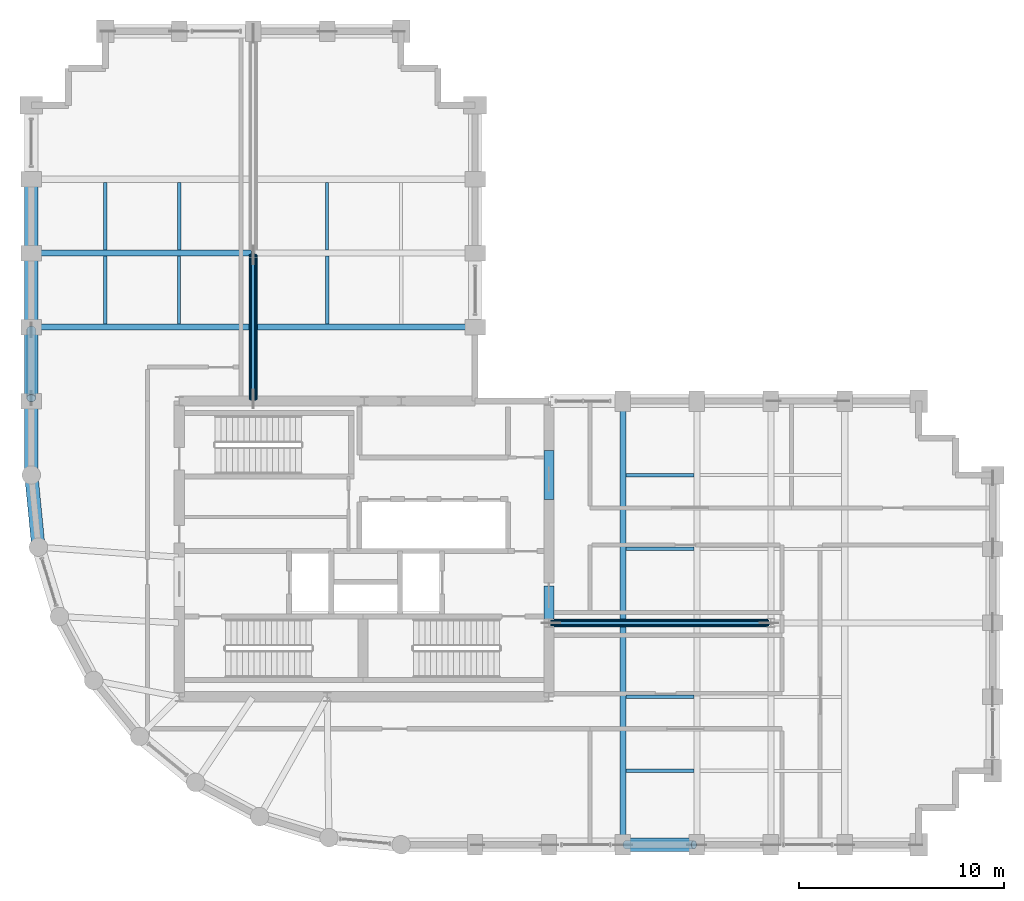
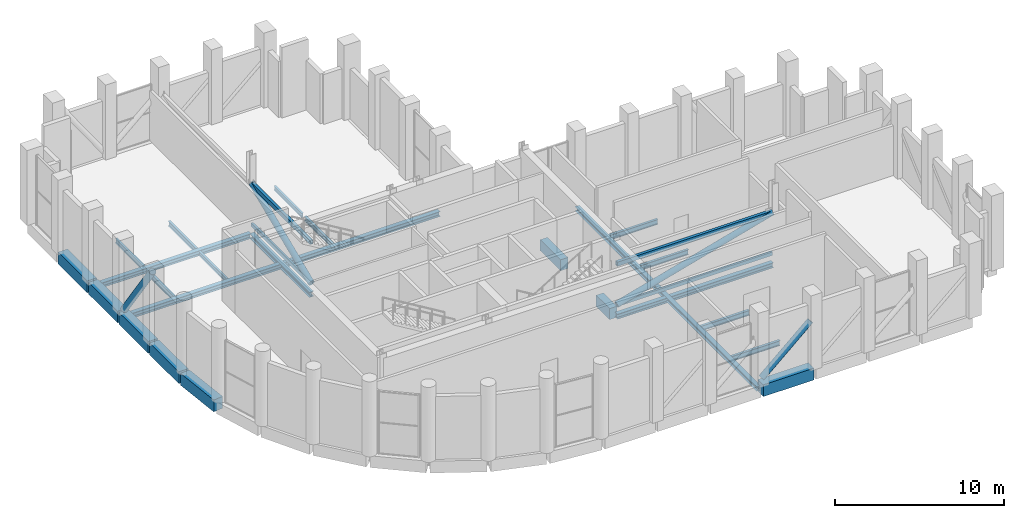
# One storey, part 5 of 19: 23 beams, 8 members.
"""IFC4 building model written with IfcOpenShell, lengths in metres."""

from ifc_helpers import new_model, si_unit, direction, frame, origin, origin_2d, place, context, subcontext, project, spatial, rectangle, hollow_rectangle, hollow_circle, i_section, extrude, material, material_profile, profile_set, type_object, element, save


model = new_model("IFC4")

# Units and contexts
model_context = context("Model", 3, precision=1e-05, world=origin(), true_north=direction((0.0, 1.0)))
body_context = subcontext(model_context, "Body", "Model", "MODEL_VIEW")
ifc_project = project(units=[si_unit("LENGTHUNIT", "METRE"), si_unit("AREAUNIT", "SQUARE_METRE"), si_unit("VOLUMEUNIT", "CUBIC_METRE"), si_unit("PLANEANGLEUNIT", "RADIAN"), si_unit("MASSUNIT", "GRAM", prefix="KILO")], contexts=[model_context])

# Site, building, storey
site_placement = place(None, origin())
site = spatial("IfcSite", under=ifc_project, at=site_placement, CompositionType="ELEMENT")
building_placement = place(site_placement, origin())
building = spatial("IfcBuilding", under=site, at=building_placement, Name="Solnavia Interchange Tower", CompositionType="ELEMENT")
storey_placement = place(building_placement, frame((0.0, 0.0, 169.39990234375)))
storey = spatial("IfcBuildingStorey", under=building, at=storey_placement, Name="L42", CompositionType="ELEMENT", Elevation=169.39990234375)

# Beams
ifc_material_1 = material(Name="Concrete C50/60", Category="concrete")
ifc_material_profile_1 = material_profile(ifc_material_1, rectangle(XDim=0.5, YDim=0.800048828125, at=origin_2d()), Name="RC 500x800")
ifc_profile_set_1 = profile_set([ifc_material_profile_1], Name="Concrete C50/60")
beam_type_1 = type_object("IfcBeamType", Name="Beam-Coupling-RC500x800", PredefinedType="LINTEL", material=ifc_profile_set_1)
beam_1_placement = place(storey_placement, frame((32.39990234375, 14.60009765625, -0.39990234375), z_axis=(0.0, 1.0, 0.0), x_axis=(-1.0, 0.0, 0.0)))
element("IfcBeam", 1, at=beam_1_placement, inside=storey, type_object=beam_type_1, Name="CPB-L42-E1 Core coupling lintel beam", PredefinedType="LINTEL", context=body_context, shape_type="SweptSolid", body=[
    extrude(rectangle(XDim=0.5, YDim=0.800048828125, at=origin_2d()), origin(), (0.0, 0.0, 1.0), 1.599853515625),
])
beam_2_placement = place(storey_placement, frame((32.39990234375, 20.39990234375, -0.39990234375), z_axis=(0.0, 1.0, 0.0), x_axis=(-1.0, 0.0, 0.0)))
element("IfcBeam", 2, at=beam_2_placement, inside=storey, type_object=beam_type_1, Name="CPB-L42-E2 Core coupling lintel beam", PredefinedType="LINTEL", context=body_context, shape_type="SweptSolid", body=[
    extrude(rectangle(XDim=0.5, YDim=0.800048828125, at=origin_2d()), origin(), (0.0, 0.0, 1.0), 2.400146484375),
])
ifc_material_2 = material(Name="Steel S460", Category="steel")
ifc_material_profile_2 = material_profile(ifc_material_2, i_section(OverallWidth=0.300048828125, OverallDepth=0.360107421875, WebThickness=0.012451171875, FlangeThickness=0.0224609375, FilletRadius=0.027099609375, at=origin_2d()), Name="HEB 360")
ifc_profile_set_2 = profile_set([ifc_material_profile_2], Name="Steel S460")
beam_type_2 = type_object("IfcBeamType", Name="Beam-Girder-HEB360", PredefinedType="BEAM", material=ifc_profile_set_2)
beam_3_placement = place(storey_placement, frame((32.47998046875, 14.39990234375, -0.5), z_axis=(1.0, 0.0, 0.0), x_axis=(0.0, 1.0, 0.0)))
element("IfcBeam", 3, at=beam_3_placement, inside=storey, type_object=beam_type_2, Name="GRD-L42-ES01 East wing spine girder", PredefinedType="BEAM", context=body_context, shape_type="SweptSolid", body=[
    extrude(i_section(OverallWidth=0.300048828125, OverallDepth=0.360107421875, WebThickness=0.012451171875, FlangeThickness=0.0224609375, FilletRadius=0.027099609375, at=origin_2d()), origin(), (0.0, 0.0, 1.0), 10.64013671875),
])
beam_4_placement = place(storey_placement, frame((18.0, 25.280029296875, -0.5), z_axis=(0.0, 1.0, 0.0), x_axis=(-1.0, 0.0, 0.0)))
element("IfcBeam", 4, at=beam_4_placement, inside=storey, type_object=beam_type_2, Name="GRD-L42-NS08 North wing spine girder", PredefinedType="BEAM", context=body_context, shape_type="SweptSolid", body=[
    extrude(i_section(OverallWidth=0.300048828125, OverallDepth=0.360107421875, WebThickness=0.012451171875, FlangeThickness=0.0224609375, FilletRadius=0.027099609375, at=origin_2d()), origin(), (0.0, 0.0, 1.0), 7.0400390625),
])
beam_5_placement = place(storey_placement, frame((7.280029296875, 28.800048828125, -0.5), z_axis=(1.0, 0.0, 0.0), x_axis=(0.0, 1.0, 0.0)))
element("IfcBeam", 5, at=beam_5_placement, inside=storey, type_object=beam_type_2, Name="GRD-L42-NW10 North wing primary floor girder", PredefinedType="BEAM", context=body_context, shape_type="SweptSolid", body=[
    extrude(i_section(OverallWidth=0.300048828125, OverallDepth=0.360107421875, WebThickness=0.012451171875, FlangeThickness=0.0224609375, FilletRadius=0.027099609375, at=origin_2d()), origin(), (0.0, 0.0, 1.0), 21.43994140625),
])
ifc_material_3 = material(Name="Steel S355", Category="steel")
ifc_material_profile_3 = material_profile(ifc_material_3, i_section(OverallWidth=0.14990234375, OverallDepth=0.300048828125, WebThickness=0.007080078125, FlangeThickness=0.0107421875, FilletRadius=0.014892578125, at=origin_2d()), Name="IPE 300")
ifc_profile_set_3 = profile_set([ifc_material_profile_3], Name="Steel S355")
beam_type_3 = type_object("IfcBeamType", Name="Beam-Joist-IPE300", PredefinedType="JOIST", material=ifc_profile_set_3)
for number, where, z_axis, x_axis, name in (
    (6, (14.39990234375, 28.949951171875, -0.469970703125), (0.0, 1.0, 0.0), (-1.0, 0.0, 0.0), "JST-L42-N15 North wing secondary joist"),
    (7, (21.60009765625, 32.550048828125, -0.469970703125), (0.0, 1.0, 0.0), (-1.0, 0.0, 0.0), "JST-L42-N18 North wing secondary joist"),
):
    element("IfcBeam", number, at=place(storey_placement, frame(where, z_axis=z_axis, x_axis=x_axis)), inside=storey, type_object=beam_type_3, Name=name, PredefinedType="JOIST", context=body_context, shape_type="SweptSolid", body=[
        extrude(i_section(OverallWidth=0.14990234375, OverallDepth=0.300048828125, WebThickness=0.007080078125, FlangeThickness=0.0107421875, FilletRadius=0.014892578125, at=origin_2d()), origin(), (0.0, 0.0, 1.0), 3.300048828125),
    ])
ifc_material_profile_4 = material_profile(ifc_material_3, i_section(OverallWidth=0.159912109375, OverallDepth=0.330078125, WebThickness=0.007568359375, FlangeThickness=0.011474609375, FilletRadius=0.01806640625, at=origin_2d()), Name="IPE 330")
ifc_profile_set_4 = profile_set([ifc_material_profile_4], Name="Steel S355")
beam_type_4 = type_object("IfcBeamType", Name="Beam-Joist-IPE330", PredefinedType="JOIST", material=ifc_profile_set_4)
for number, where, z_axis, x_axis, name in (
    (8, (10.800048828125, 32.550048828125, -0.48486328125), (0.0, 1.0, 0.0), (-1.0, 0.0, 0.0), "JST-L42-N14 North wing secondary joist"),
    (9, (21.60009765625, 28.949951171875, -0.48486328125), (0.0, 1.0, 0.0), (-1.0, 0.0, 0.0), "JST-L42-N17 North wing secondary joist"),
):
    element("IfcBeam", number, at=place(storey_placement, frame(where, z_axis=z_axis, x_axis=x_axis)), inside=storey, type_object=beam_type_4, Name=name, PredefinedType="JOIST", context=body_context, shape_type="SweptSolid", body=[
        extrude(i_section(OverallWidth=0.159912109375, OverallDepth=0.330078125, WebThickness=0.007568359375, FlangeThickness=0.011474609375, FilletRadius=0.01806640625, at=origin_2d()), origin(), (0.0, 0.0, 1.0), 3.300048828125),
    ])
ifc_material_profile_5 = material_profile(ifc_material_3, i_section(OverallWidth=0.169921875, OverallDepth=0.360107421875, WebThickness=0.008056640625, FlangeThickness=0.0126953125, FilletRadius=0.01806640625, at=origin_2d()), Name="IPE 360")
ifc_profile_set_5 = profile_set([ifc_material_profile_5], Name="Steel S355")
beam_type_5 = type_object("IfcBeamType", Name="Beam-Joist-IPE360", PredefinedType="JOIST", material=ifc_profile_set_5)
for number, where, z_axis, x_axis, name in (
    (10, (36.14990234375, 7.199951171875, -0.5), (1.0, 0.0, 0.0), (0.0, 1.0, 0.0), "JST-L42-E01 East wing secondary joist"),
    (11, (36.14990234375, 10.800048828125, -0.5), (1.0, 0.0, 0.0), (0.0, 1.0, 0.0), "JST-L42-E04 East wing secondary joist"),
    (12, (36.14990234375, 18.0, -0.5), (1.0, 0.0, 0.0), (0.0, 1.0, 0.0), "JST-L42-E07 East wing secondary joist"),
    (13, (36.14990234375, 21.60009765625, -0.5), (1.0, 0.0, 0.0), (0.0, 1.0, 0.0), "JST-L42-E10 East wing secondary joist"),
    (14, (10.800048828125, 28.949951171875, -0.5), (0.0, 1.0, 0.0), (-1.0, 0.0, 0.0), "JST-L42-N13 North wing secondary joist"),
    (15, (14.39990234375, 32.550048828125, -0.5), (0.0, 1.0, 0.0), (-1.0, 0.0, 0.0), "JST-L42-N16 North wing secondary joist"),
):
    element("IfcBeam", number, at=place(storey_placement, frame(where, z_axis=z_axis, x_axis=x_axis)), inside=storey, type_object=beam_type_5, Name=name, PredefinedType="JOIST", context=body_context, shape_type="SweptSolid", body=[
        extrude(i_section(OverallWidth=0.169921875, OverallDepth=0.360107421875, WebThickness=0.008056640625, FlangeThickness=0.0126953125, FilletRadius=0.01806640625, at=origin_2d()), origin(), (0.0, 0.0, 1.0), 3.300048828125),
    ])
ifc_material_profile_6 = material_profile(ifc_material_3, i_section(OverallWidth=0.300048828125, OverallDepth=0.31005859375, WebThickness=0.009033203125, FlangeThickness=0.015380859375, FilletRadius=0.027099609375, at=origin_2d()), Name="HEA 320")
ifc_profile_set_6 = profile_set([ifc_material_profile_6], Name="Steel S355")
beam_type_6 = type_object("IfcBeamType", Name="Beam-Primary-HEA320", PredefinedType="BEAM", material=ifc_profile_set_6)
beam_6_placement = place(storey_placement, frame((36.0, 3.679931640625, -0.474853515625), z_axis=(0.0, 1.0, 0.0), x_axis=(-1.0, 0.0, 0.0)))
element("IfcBeam", 16, at=beam_6_placement, inside=storey, type_object=beam_type_6, Name="GRD-L42-EW03 East wing primary floor girder", PredefinedType="BEAM", context=body_context, shape_type="SweptSolid", body=[
    extrude(i_section(OverallWidth=0.300048828125, OverallDepth=0.31005859375, WebThickness=0.009033203125, FlangeThickness=0.015380859375, FilletRadius=0.027099609375, at=origin_2d()), origin(), (0.0, 0.0, 1.0), 21.440185546875),
])
ifc_material_profile_7 = material_profile(ifc_material_3, i_section(OverallWidth=0.300048828125, OverallDepth=0.35009765625, WebThickness=0.010009765625, FlangeThickness=0.017578125, FilletRadius=0.027099609375, at=origin_2d()), Name="HEA 360")
ifc_profile_set_7 = profile_set([ifc_material_profile_7], Name="Steel S355")
beam_type_7 = type_object("IfcBeamType", Name="Beam-Primary-HEA360", PredefinedType="BEAM", material=ifc_profile_set_7)
beam_7_placement = place(storey_placement, frame((7.280029296875, 32.39990234375, -0.494873046875), z_axis=(1.0, 0.0, 0.0), x_axis=(0.0, 1.0, 0.0)))
element("IfcBeam", 17, at=beam_7_placement, inside=storey, type_object=beam_type_7, Name="GRD-L42-NW11 North wing primary floor girder", PredefinedType="BEAM", context=body_context, shape_type="SweptSolid", body=[
    extrude(i_section(OverallWidth=0.300048828125, OverallDepth=0.35009765625, WebThickness=0.010009765625, FlangeThickness=0.017578125, FilletRadius=0.027099609375, at=origin_2d()), origin(), (0.0, 0.0, 1.0), 10.639892578125),
])
ifc_material_profile_8 = material_profile(ifc_material_1, rectangle(XDim=0.64990234375, YDim=0.85009765625, at=origin_2d()), Name="RC 650x850")
ifc_profile_set_8 = profile_set([ifc_material_profile_8], Name="Concrete C50/60")
beam_type_8 = type_object("IfcBeamType", Name="Beam-Spandrel-RC650x850", PredefinedType="SPANDREL", material=ifc_profile_set_8)
beam_8_placement = place(storey_placement, frame((7.207763671875, 21.5205078125, -0.4248046875), z_axis=(0.098040038117, -0.995182471171, 0.0), x_axis=(0.995182471171, 0.098040038117, 0.0)))
element("IfcBeam", 18, at=beam_8_placement, inside=storey, type_object=beam_type_8, Name="SPB-L42-01 Framed-tube perimeter spandrel beam", PredefinedType="SPANDREL", context=body_context, shape_type="SweptSolid", body=[
    extrude(rectangle(XDim=0.64990234375, YDim=0.85009765625, at=origin_2d()), origin(), (0.0, 0.0, 1.0), 3.369140625),
])
for number, where, z_axis, x_axis, name in (
    (19, (36.080078125, 3.60009765625, -0.4248046875), (1.0, 0.0, 0.0), (0.0, 1.0, 0.0), "SPB-L42-12 Framed-tube perimeter spandrel beam"),
    (20, (7.199951171875, 35.919921875, -0.4248046875), (0.0, -1.0, 0.0), (1.0, 0.0, 0.0), "SPB-L42-33 Framed-tube perimeter spandrel beam"),
):
    element("IfcBeam", number, at=place(storey_placement, frame(where, z_axis=z_axis, x_axis=x_axis)), inside=storey, type_object=beam_type_8, Name=name, PredefinedType="SPANDREL", context=body_context, shape_type="SweptSolid", body=[
        extrude(rectangle(XDim=0.64990234375, YDim=0.85009765625, at=origin_2d()), origin(), (0.0, 0.0, 1.0), 3.43994140625),
    ])
beam_9_placement = place(storey_placement, frame((7.199951171875, 32.320068359375, -0.4248046875), z_axis=(0.0, -1.0, 0.0), x_axis=(1.0, 0.0, 0.0)))
element("IfcBeam", 21, at=beam_9_placement, inside=storey, type_object=beam_type_8, Name="SPB-L42-34 Framed-tube perimeter spandrel beam", PredefinedType="SPANDREL", context=body_context, shape_type="SweptSolid", body=[
    extrude(rectangle(XDim=0.64990234375, YDim=0.85009765625, at=origin_2d()), origin(), (0.0, 0.0, 1.0), 3.440185546875),
])
beam_10_placement = place(storey_placement, frame((7.199951171875, 28.719970703125, -0.4248046875), z_axis=(0.0, -1.0, 0.0), x_axis=(1.0, 0.0, 0.0)))
element("IfcBeam", 22, at=beam_10_placement, inside=storey, type_object=beam_type_8, Name="SPB-L42-35 Framed-tube perimeter spandrel beam", PredefinedType="SPANDREL", context=body_context, shape_type="SweptSolid", body=[
    extrude(rectangle(XDim=0.64990234375, YDim=0.85009765625, at=origin_2d()), origin(), (0.0, 0.0, 1.0), 3.43994140625),
])
beam_11_placement = place(storey_placement, frame((7.199951171875, 25.1201171875, -0.4248046875), z_axis=(0.0, -1.0, 0.0), x_axis=(1.0, 0.0, 0.0)))
element("IfcBeam", 23, at=beam_11_placement, inside=storey, type_object=beam_type_8, Name="SPB-L42-36 Framed-tube perimeter spandrel beam", PredefinedType="SPANDREL", context=body_context, shape_type="SweptSolid", body=[
    extrude(rectangle(XDim=0.64990234375, YDim=0.85009765625, at=origin_2d()), origin(), (0.0, 0.0, 1.0), 3.440185546875),
])

# Members
ifc_material_profile_9 = material_profile(ifc_material_2, hollow_circle(Radius=0.228515625, WallThickness=0.02001953125, at=origin_2d()), Name="CHS 457x20")
ifc_profile_set_9 = profile_set([ifc_material_profile_9], Name="Steel S460")
member_type_1 = type_object("IfcMemberType", Name="Brace-Perim-CHS457", PredefinedType="BRACE", material=ifc_profile_set_9)
member_1_placement = place(storey_placement, frame((7.199951171875, 28.659912109375, 0.18017578125), z_axis=(0.0, -0.575303703517, 0.817939880871), x_axis=(1.0, 0.0, 0.0)))
element("IfcMember", 24, at=member_1_placement, inside=storey, type_object=member_type_1, Name="BRC-L42-01 Perimeter tube diagonal brace", PredefinedType="BRACE", context=body_context, shape_type="SweptSolid", body=[
    extrude(hollow_circle(Radius=0.228515625, WallThickness=0.02001953125, at=origin_2d()), origin(), (0.0, 0.0, 1.0), 5.7705078125),
])
ifc_material_profile_10 = material_profile(ifc_material_3, hollow_rectangle(XDim=0.14990234375, YDim=0.25, WallThickness=0.010009765625, at=origin_2d()), Name="RHS 250x150x10")
ifc_profile_set_10 = profile_set([ifc_material_profile_10], Name="Steel S355")
member_type_2 = type_object("IfcMemberType", Name="Outrigger-Chord-RHS250", PredefinedType="CHORD", material=ifc_profile_set_10)
member_2_placement = place(storey_placement, frame((32.5, 14.39990234375, 0.300048828125), z_axis=(1.0, 0.0, 0.0), x_axis=(0.0, 1.0, 0.0)))
element("IfcMember", 25, at=member_2_placement, inside=storey, type_object=member_type_2, Name="OTR-L42-BC01 Outrigger bottom chord", PredefinedType="CHORD", context=body_context, shape_type="SweptSolid", body=[
    extrude(hollow_rectangle(XDim=0.14990234375, YDim=0.25, WallThickness=0.010009765625, at=origin_2d()), origin(), (0.0, 0.0, 1.0), 10.60009765625),
])
member_3_placement = place(storey_placement, frame((18.0, 25.300048828125, 0.300048828125), z_axis=(0.0, 1.0, 0.0), x_axis=(-1.0, 0.0, 0.0)))
element("IfcMember", 26, at=member_3_placement, inside=storey, type_object=member_type_2, Name="OTR-L42-BC02 Outrigger bottom chord", PredefinedType="CHORD", context=body_context, shape_type="SweptSolid", body=[
    extrude(hollow_rectangle(XDim=0.14990234375, YDim=0.25, WallThickness=0.010009765625, at=origin_2d()), origin(), (0.0, 0.0, 1.0), 7.0),
])
ifc_material_profile_11 = material_profile(ifc_material_2, hollow_rectangle(XDim=0.199951171875, YDim=0.300048828125, WallThickness=0.012451171875, at=origin_2d()), Name="RHS 300x200x12.5")
ifc_profile_set_11 = profile_set([ifc_material_profile_11], Name="Steel S460")
member_type_3 = type_object("IfcMemberType", Name="Outrigger-Chord-RHS300", PredefinedType="CHORD", material=ifc_profile_set_11)
member_4_placement = place(storey_placement, frame((32.5, 14.39990234375, 3.25), z_axis=(1.0, 0.0, 0.0), x_axis=(0.0, 1.0, 0.0)))
element("IfcMember", 27, at=member_4_placement, inside=storey, type_object=member_type_3, Name="OTR-L42-TC01 Outrigger top chord", PredefinedType="CHORD", context=body_context, shape_type="SweptSolid", body=[
    extrude(hollow_rectangle(XDim=0.199951171875, YDim=0.300048828125, WallThickness=0.012451171875, at=origin_2d()), origin(), (0.0, 0.0, 1.0), 10.60009765625),
])
member_5_placement = place(storey_placement, frame((18.0, 25.300048828125, 3.25), z_axis=(0.0, 1.0, 0.0), x_axis=(-1.0, 0.0, 0.0)))
element("IfcMember", 28, at=member_5_placement, inside=storey, type_object=member_type_3, Name="OTR-L42-TC02 Outrigger top chord", PredefinedType="CHORD", context=body_context, shape_type="SweptSolid", body=[
    extrude(hollow_rectangle(XDim=0.199951171875, YDim=0.300048828125, WallThickness=0.012451171875, at=origin_2d()), origin(), (0.0, 0.0, 1.0), 7.0),
])
ifc_material_profile_12 = material_profile(ifc_material_2, hollow_circle(Radius=0.203125, WallThickness=0.02001953125, at=origin_2d()), Name="CHS 406.4x20")
ifc_profile_set_12 = profile_set([ifc_material_profile_12], Name="Steel S460")
member_type_4 = type_object("IfcMemberType", Name="Outrigger-Diag-CHS406", PredefinedType="BRACE", material=ifc_profile_set_12)
member_6_placement = place(storey_placement, frame((32.5, 14.39990234375, 0.300048828125), z_axis=(0.963389371219, 0.0, 0.26810617192), x_axis=(0.0, 1.0, 0.0)))
element("IfcMember", 29, at=member_6_placement, inside=storey, type_object=member_type_4, Name="OTR-L42-DG01 Outrigger truss diagonal", PredefinedType="BRACE", context=body_context, shape_type="SweptSolid", body=[
    extrude(hollow_circle(Radius=0.203125, WallThickness=0.02001953125, at=origin_2d()), origin(), (0.0, 0.0, 1.0), 11.0029296875),
])
member_7_placement = place(storey_placement, frame((18.0, 25.300048828125, 0.300048828125), z_axis=(0.0, 0.921513727827, 0.3883457859), x_axis=(-1.0, 0.0, 0.0)))
element("IfcMember", 30, at=member_7_placement, inside=storey, type_object=member_type_4, Name="OTR-L42-DG02 Outrigger truss diagonal", PredefinedType="BRACE", context=body_context, shape_type="SweptSolid", body=[
    extrude(hollow_circle(Radius=0.203125, WallThickness=0.02001953125, at=origin_2d()), origin(), (0.0, 0.0, 1.0), 7.59619140625),
])
member_8_placement = place(storey_placement, frame((36.139892578125, 3.60009765625, 0.300048828125), z_axis=(0.747545781752, 0.0, 0.664210286118), x_axis=(0.0, 1.0, 0.0)))
element("IfcMember", 31, at=member_8_placement, inside=storey, type_object=member_type_4, Name="OTR-L42-BT03 Belt truss diagonal", PredefinedType="BRACE", context=body_context, shape_type="SweptSolid", body=[
    extrude(hollow_circle(Radius=0.203125, WallThickness=0.02001953125, at=origin_2d()), origin(), (0.0, 0.0, 1.0), 4.44140625),
])

save(model, "model.ifc")
